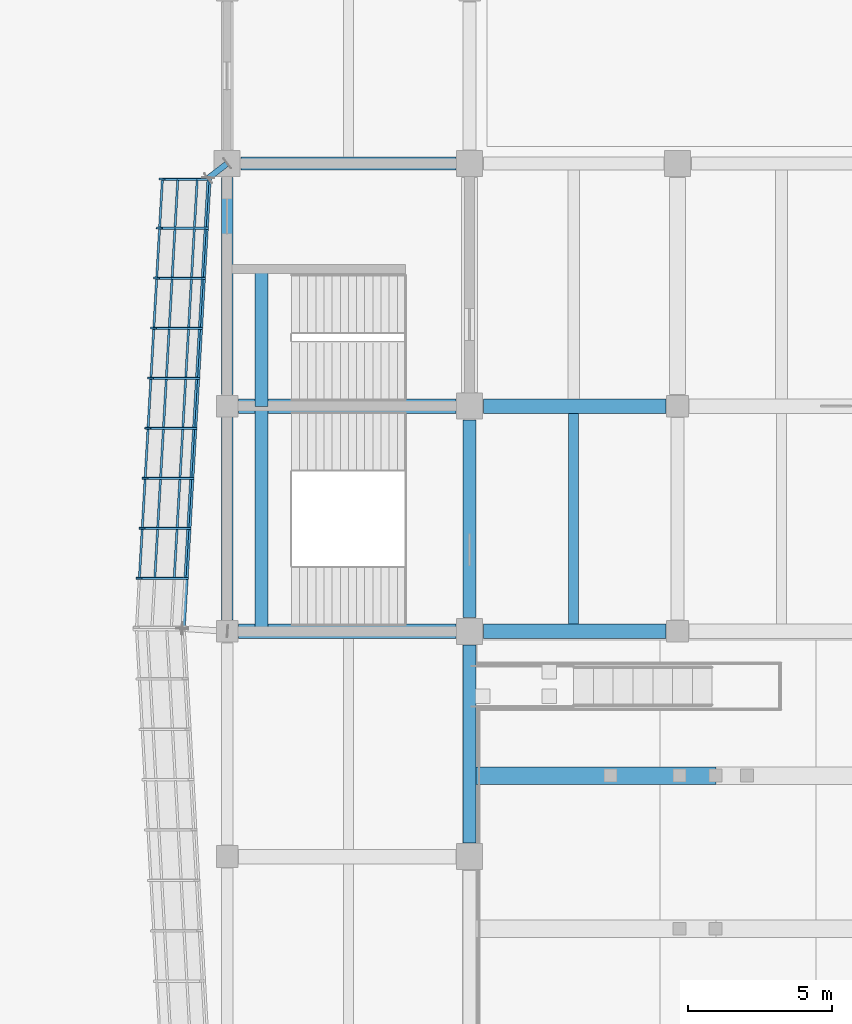
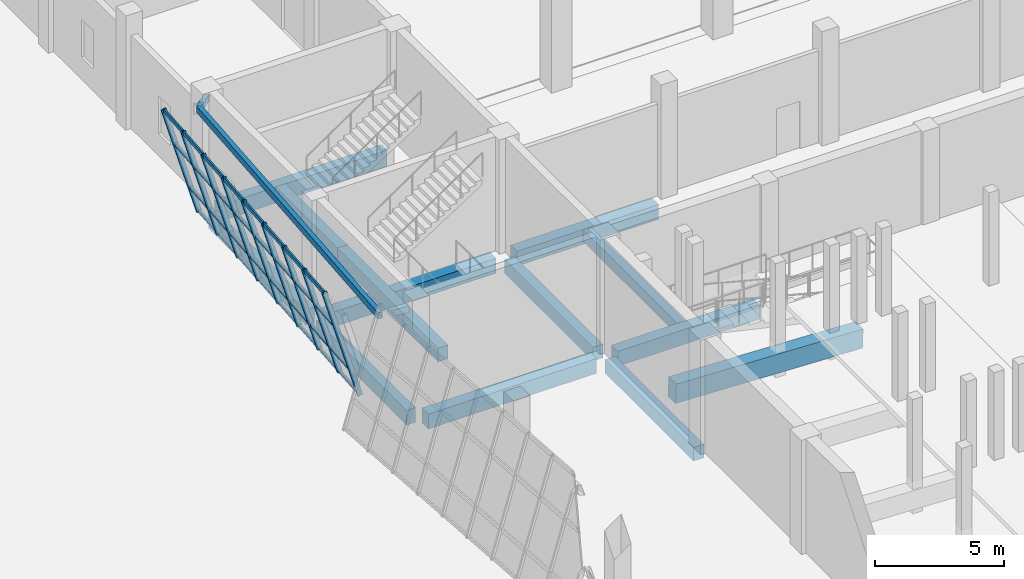
# One storey, part 29 of 78: 41 members, 15 beams, 1 element without a shape of its own.
"""IFC4 building model written with IfcOpenShell, lengths in metres."""

from ifc_helpers import new_model, si_unit, direction, frame, origin, origin_2d, place, context, subcontext, project, spatial, rectangle, hollow_rectangle, extrude, material, material_profile, profile_set, type_object, element, aggregate, save


model = new_model("IFC4")

# Units and contexts
model_context = context("Model", 3, precision=1e-05, world=origin(), true_north=direction((0.0, 1.0)))
body_context = subcontext(model_context, "Body", "Model", "MODEL_VIEW")
ifc_project = project(units=[si_unit("LENGTHUNIT", "METRE"), si_unit("AREAUNIT", "SQUARE_METRE"), si_unit("VOLUMEUNIT", "CUBIC_METRE"), si_unit("PLANEANGLEUNIT", "RADIAN"), si_unit("MASSUNIT", "GRAM", prefix="KILO")], contexts=[model_context])

# Site, building, storey
site_placement = place(None, origin())
site = spatial("IfcSite", under=ifc_project, at=site_placement, CompositionType="ELEMENT")
building_placement = place(site_placement, origin())
building = spatial("IfcBuilding", under=site, at=building_placement, Name="Pellamere Symphony Hall", CompositionType="ELEMENT")
storey_placement = place(building_placement, origin())
storey = spatial("IfcBuildingStorey", under=building, at=storey_placement, Name="L00", CompositionType="ELEMENT", Elevation=0.0)

# Curtain wall, members
ifc_material_1 = material(Name="Thermally Broken Anodised Aluminium 6063-T6 Curtain Wall", Category="aluminium")
curtain_wall_type = type_object("IfcCurtainWallType", Name="Curtain Wall CW-01 (Tilted Faceted Crystal Low-Iron Curtain Wall)", PredefinedType="NOTDEFINED", material=ifc_material_1)
curtain_wall_placement = place(storey_placement, origin())
curtain_wall = element("IfcCurtainWall", 1, at=curtain_wall_placement, inside=storey, type_object=curtain_wall_type, Name="Crystal Faceted Curtain Wall CW-CR15 (L00)", PredefinedType="NOTDEFINED")
ifc_material_2 = material(Name="Anodised Architectural Aluminium 6063-T6", Category="aluminium")
ifc_material_profile_1 = material_profile(ifc_material_2, hollow_rectangle(XDim=0.074951171875, YDim=0.219970703125, WallThickness=0.0048828125, at=origin_2d()), Name="ALU-M75X220X5")
ifc_profile_set_1 = profile_set([ifc_material_profile_1], Name="Anodised Architectural Aluminium 6063-T6")
member_type_1 = type_object("IfcMemberType", Name="Curtain Wall Mullion ML-01 ALU-M75X220X5", PredefinedType="MULLION", material=ifc_profile_set_1)
member_1_placement = place(storey_placement, frame((49.747802734375, 93.0625, 0.0), z_axis=(-0.284029290042, 0.0, 0.958815603961), x_axis=(-0.055224456577, -0.998339941676, -0.01635910297)))
member_1 = element("IfcMember", 2, at=member_1_placement, type_object=member_type_1, Name="CW1-037 crystal mullion 1", PredefinedType="MULLION", context=body_context, shape_type="SweptSolid", body=[
    extrude(hollow_rectangle(XDim=0.074951171875, YDim=0.219970703125, WallThickness=0.0048828125, at=origin_2d()), origin(), (0.0, 0.0, 1.0), 5.6318359375),
])
member_2_placement = place(storey_placement, frame((49.64990234375, 91.36669921875, 0.0), z_axis=(-0.284029290042, 0.0, 0.958815603961), x_axis=(-0.055224456577, -0.998339941676, -0.01635910297)))
member_2 = element("IfcMember", 3, at=member_2_placement, type_object=member_type_1, Name="CW1-037 crystal mullion 2", PredefinedType="MULLION", context=body_context, shape_type="SweptSolid", body=[
    extrude(hollow_rectangle(XDim=0.074951171875, YDim=0.219970703125, WallThickness=0.0048828125, at=origin_2d()), origin(), (0.0, 0.0, 1.0), 5.6318359375),
])
member_3_placement = place(storey_placement, frame((49.550048828125, 89.63330078125, 0.0), z_axis=(-0.284029290042, 0.0, 0.958815603961), x_axis=(-0.055224456577, -0.998339941676, -0.01635910297)))
member_3 = element("IfcMember", 4, at=member_3_placement, type_object=member_type_1, Name="CW1-037 crystal mullion 3", PredefinedType="MULLION", context=body_context, shape_type="SweptSolid", body=[
    extrude(hollow_rectangle(XDim=0.074951171875, YDim=0.219970703125, WallThickness=0.0048828125, at=origin_2d()), origin(), (0.0, 0.0, 1.0), 5.6318359375),
])
member_4_placement = place(storey_placement, frame((49.449951171875, 87.89990234375, 0.0), z_axis=(-0.284029290042, 0.0, 0.958815603961), x_axis=(-0.055224456577, -0.998339941676, -0.01635910297)))
member_4 = element("IfcMember", 5, at=member_4_placement, type_object=member_type_1, Name="CW1-037 crystal mullion 4", PredefinedType="MULLION", context=body_context, shape_type="SweptSolid", body=[
    extrude(hollow_rectangle(XDim=0.074951171875, YDim=0.219970703125, WallThickness=0.0048828125, at=origin_2d()), origin(), (0.0, 0.0, 1.0), 5.6318359375),
])
member_5_placement = place(storey_placement, frame((49.35009765625, 86.166748046875, 0.0), z_axis=(-0.284029290042, 0.0, 0.958815603961), x_axis=(-0.055224456577, -0.998339941676, -0.01635910297)))
member_5 = element("IfcMember", 6, at=member_5_placement, type_object=member_type_1, Name="CW1-037 crystal mullion 5", PredefinedType="MULLION", context=body_context, shape_type="SweptSolid", body=[
    extrude(hollow_rectangle(XDim=0.074951171875, YDim=0.219970703125, WallThickness=0.0048828125, at=origin_2d()), origin(), (0.0, 0.0, 1.0), 5.6318359375),
])
member_6_placement = place(storey_placement, frame((49.25, 84.433349609375, 0.0), z_axis=(-0.284029290042, 0.0, 0.958815603961), x_axis=(-0.055224456577, -0.998339941676, -0.01635910297)))
member_6 = element("IfcMember", 7, at=member_6_placement, type_object=member_type_1, Name="CW1-037 crystal mullion 6", PredefinedType="MULLION", context=body_context, shape_type="SweptSolid", body=[
    extrude(hollow_rectangle(XDim=0.074951171875, YDim=0.219970703125, WallThickness=0.0048828125, at=origin_2d()), origin(), (0.0, 0.0, 1.0), 5.6318359375),
])
member_7_placement = place(storey_placement, frame((49.14990234375, 82.699951171875, 0.0), z_axis=(-0.284029290042, 0.0, 0.958815603961), x_axis=(-0.055224456577, -0.998339941676, -0.01635910297)))
member_7 = element("IfcMember", 8, at=member_7_placement, type_object=member_type_1, Name="CW1-037 crystal mullion 7", PredefinedType="MULLION", context=body_context, shape_type="SweptSolid", body=[
    extrude(hollow_rectangle(XDim=0.074951171875, YDim=0.219970703125, WallThickness=0.0048828125, at=origin_2d()), origin(), (0.0, 0.0, 1.0), 5.6318359375),
])
member_8_placement = place(storey_placement, frame((49.050048828125, 80.966552734375, 0.0), z_axis=(-0.284029290042, 0.0, 0.958815603961), x_axis=(-0.055224456577, -0.998339941676, -0.01635910297)))
member_8 = element("IfcMember", 9, at=member_8_placement, type_object=member_type_1, Name="CW1-037 crystal mullion 8", PredefinedType="MULLION", context=body_context, shape_type="SweptSolid", body=[
    extrude(hollow_rectangle(XDim=0.074951171875, YDim=0.219970703125, WallThickness=0.0048828125, at=origin_2d()), origin(), (0.0, 0.0, 1.0), 5.6318359375),
])
member_9_placement = place(storey_placement, frame((48.949951171875, 79.2333984375, 0.0), z_axis=(-0.284029290042, 0.0, 0.958815603961), x_axis=(-0.055224456577, -0.998339941676, -0.01635910297)))
member_9 = element("IfcMember", 10, at=member_9_placement, type_object=member_type_1, Name="CW1-037 crystal mullion 9", PredefinedType="MULLION", context=body_context, shape_type="SweptSolid", body=[
    extrude(hollow_rectangle(XDim=0.074951171875, YDim=0.219970703125, WallThickness=0.0048828125, at=origin_2d()), origin(), (0.0, 0.0, 1.0), 5.6318359375),
])
ifc_material_profile_2 = material_profile(ifc_material_2, hollow_rectangle(XDim=0.074951171875, YDim=0.179931640625, WallThickness=0.0048828125, at=origin_2d()), Name="ALU-T75X180X5")
ifc_profile_set_2 = profile_set([ifc_material_profile_2], Name="Anodised Architectural Aluminium 6063-T6")
member_type_2 = type_object("IfcMemberType", Name="Curtain Wall Transom TR-01 ALU-T75X180X5", PredefinedType="USERDEFINED", material=ifc_profile_set_2)
member_10_placement = place(storey_placement, frame((49.735107421875, 93.025146484375, 0.035888671875), z_axis=(-0.057585007883, -0.99834060664, 0.0), x_axis=(0.99834060664, -0.057585007883, 0.0)))
member_10 = element("IfcMember", 11, at=member_10_placement, type_object=member_type_2, Name="CW1-037 crystal transom 1.1", ObjectType="TRANSOM", PredefinedType="USERDEFINED", context=body_context, shape_type="SweptSolid", body=[
    extrude(hollow_rectangle(XDim=0.074951171875, YDim=0.179931640625, WallThickness=0.0048828125, at=origin_2d()), origin(), (0.0, 0.0, 1.0), 1.623779296875),
])
member_11_placement = place(storey_placement, frame((49.36181640625, 93.025146484375, 1.2958984375), z_axis=(-0.057585007883, -0.99834060664, 0.0), x_axis=(0.99834060664, -0.057585007883, 0.0)))
member_11 = element("IfcMember", 12, at=member_11_placement, type_object=member_type_2, Name="CW1-037 crystal transom 1.2", ObjectType="TRANSOM", PredefinedType="USERDEFINED", context=body_context, shape_type="SweptSolid", body=[
    extrude(hollow_rectangle(XDim=0.074951171875, YDim=0.179931640625, WallThickness=0.0048828125, at=origin_2d()), origin(), (0.0, 0.0, 1.0), 1.623779296875),
])
member_12_placement = place(storey_placement, frame((48.68994140625, 93.025146484375, 3.56396484375), z_axis=(-0.057585007883, -0.99834060664, 0.0), x_axis=(0.99834060664, -0.057585007883, 0.0)))
member_12 = element("IfcMember", 13, at=member_12_placement, type_object=member_type_2, Name="CW1-037 crystal transom 1.3", ObjectType="TRANSOM", PredefinedType="USERDEFINED", context=body_context, shape_type="SweptSolid", body=[
    extrude(hollow_rectangle(XDim=0.074951171875, YDim=0.179931640625, WallThickness=0.0048828125, at=origin_2d()), origin(), (0.0, 0.0, 1.0), 1.623779296875),
])
member_13_placement = place(storey_placement, frame((48.15673828125, 93.025146484375, 5.364013671875), z_axis=(-0.057585007883, -0.99834060664, 0.0), x_axis=(0.99834060664, -0.057585007883, 0.0)))
member_13 = element("IfcMember", 14, at=member_13_placement, type_object=member_type_2, Name="CW1-037 crystal transom 1.4", ObjectType="TRANSOM", PredefinedType="USERDEFINED", context=body_context, shape_type="SweptSolid", body=[
    extrude(hollow_rectangle(XDim=0.074951171875, YDim=0.179931640625, WallThickness=0.0048828125, at=origin_2d()), origin(), (0.0, 0.0, 1.0), 1.623779296875),
])
member_14_placement = place(storey_placement, frame((49.63720703125, 91.329345703125, 0.035888671875), z_axis=(-0.057602168051, -0.998339616682, 0.0), x_axis=(0.998339616682, -0.057602168051, 0.0)))
member_14 = element("IfcMember", 15, at=member_14_placement, type_object=member_type_2, Name="CW1-037 crystal transom 2.1", ObjectType="TRANSOM", PredefinedType="USERDEFINED", context=body_context, shape_type="SweptSolid", body=[
    extrude(hollow_rectangle(XDim=0.074951171875, YDim=0.179931640625, WallThickness=0.0048828125, at=origin_2d()), origin(), (0.0, 0.0, 1.0), 1.661376953125),
])
member_15_placement = place(storey_placement, frame((49.263916015625, 91.329345703125, 1.2958984375), z_axis=(-0.057602168051, -0.998339616682, 0.0), x_axis=(0.998339616682, -0.057602168051, 0.0)))
member_15 = element("IfcMember", 16, at=member_15_placement, type_object=member_type_2, Name="CW1-037 crystal transom 2.2", ObjectType="TRANSOM", PredefinedType="USERDEFINED", context=body_context, shape_type="SweptSolid", body=[
    extrude(hollow_rectangle(XDim=0.074951171875, YDim=0.179931640625, WallThickness=0.0048828125, at=origin_2d()), origin(), (0.0, 0.0, 1.0), 1.661376953125),
])
member_16_placement = place(storey_placement, frame((48.592041015625, 91.329345703125, 3.56396484375), z_axis=(-0.057602168051, -0.998339616682, 0.0), x_axis=(0.998339616682, -0.057602168051, 0.0)))
member_16 = element("IfcMember", 17, at=member_16_placement, type_object=member_type_2, Name="CW1-037 crystal transom 2.3", ObjectType="TRANSOM", PredefinedType="USERDEFINED", context=body_context, shape_type="SweptSolid", body=[
    extrude(hollow_rectangle(XDim=0.074951171875, YDim=0.179931640625, WallThickness=0.0048828125, at=origin_2d()), origin(), (0.0, 0.0, 1.0), 1.661376953125),
])
member_17_placement = place(storey_placement, frame((48.058837890625, 91.329345703125, 5.364013671875), z_axis=(-0.057602168051, -0.998339616682, 0.0), x_axis=(0.998339616682, -0.057602168051, 0.0)))
member_17 = element("IfcMember", 18, at=member_17_placement, type_object=member_type_2, Name="CW1-037 crystal transom 2.4", ObjectType="TRANSOM", PredefinedType="USERDEFINED", context=body_context, shape_type="SweptSolid", body=[
    extrude(hollow_rectangle(XDim=0.074951171875, YDim=0.179931640625, WallThickness=0.0048828125, at=origin_2d()), origin(), (0.0, 0.0, 1.0), 1.661376953125),
])
member_18_placement = place(storey_placement, frame((49.537109375, 89.595947265625, 0.035888671875), z_axis=(-0.057610619545, -0.998339129012, 0.0), x_axis=(0.998339129012, -0.057610619545, 0.0)))
member_18 = element("IfcMember", 19, at=member_18_placement, type_object=member_type_2, Name="CW1-037 crystal transom 3.1", ObjectType="TRANSOM", PredefinedType="USERDEFINED", context=body_context, shape_type="SweptSolid", body=[
    extrude(hollow_rectangle(XDim=0.074951171875, YDim=0.179931640625, WallThickness=0.0048828125, at=origin_2d()), origin(), (0.0, 0.0, 1.0), 1.6611328125),
])
member_19_placement = place(storey_placement, frame((49.163818359375, 89.595947265625, 1.2958984375), z_axis=(-0.057464139598, -0.998347571069, 0.0), x_axis=(0.998347571069, -0.057464139598, 0.0)))
member_19 = element("IfcMember", 20, at=member_19_placement, type_object=member_type_2, Name="CW1-037 crystal transom 3.2", ObjectType="TRANSOM", PredefinedType="USERDEFINED", context=body_context, shape_type="SweptSolid", body=[
    extrude(hollow_rectangle(XDim=0.074951171875, YDim=0.179931640625, WallThickness=0.0048828125, at=origin_2d()), origin(), (0.0, 0.0, 1.0), 1.6611328125),
])
member_20_placement = place(storey_placement, frame((48.4921875, 89.595947265625, 3.56396484375), z_axis=(-0.057610619545, -0.998339129012, 0.0), x_axis=(0.998339129012, -0.057610619545, 0.0)))
member_20 = element("IfcMember", 21, at=member_20_placement, type_object=member_type_2, Name="CW1-037 crystal transom 3.3", ObjectType="TRANSOM", PredefinedType="USERDEFINED", context=body_context, shape_type="SweptSolid", body=[
    extrude(hollow_rectangle(XDim=0.074951171875, YDim=0.179931640625, WallThickness=0.0048828125, at=origin_2d()), origin(), (0.0, 0.0, 1.0), 1.6611328125),
])
member_21_placement = place(storey_placement, frame((47.958984375, 89.595947265625, 5.364013671875), z_axis=(-0.057610619545, -0.998339129012, 0.0), x_axis=(0.998339129012, -0.057610619545, 0.0)))
member_21 = element("IfcMember", 22, at=member_21_placement, type_object=member_type_2, Name="CW1-037 crystal transom 3.4", ObjectType="TRANSOM", PredefinedType="USERDEFINED", context=body_context, shape_type="SweptSolid", body=[
    extrude(hollow_rectangle(XDim=0.074951171875, YDim=0.179931640625, WallThickness=0.0048828125, at=origin_2d()), origin(), (0.0, 0.0, 1.0), 1.6611328125),
])
member_22_placement = place(storey_placement, frame((49.437255859375, 87.862548828125, 0.035888671875), z_axis=(-0.057610619545, -0.998339129012, 0.0), x_axis=(0.998339129012, -0.057610619545, 0.0)))
member_22 = element("IfcMember", 23, at=member_22_placement, type_object=member_type_2, Name="CW1-037 crystal transom 4.1", ObjectType="TRANSOM", PredefinedType="USERDEFINED", context=body_context, shape_type="SweptSolid", body=[
    extrude(hollow_rectangle(XDim=0.074951171875, YDim=0.179931640625, WallThickness=0.0048828125, at=origin_2d()), origin(), (0.0, 0.0, 1.0), 1.6611328125),
])
member_23_placement = place(storey_placement, frame((49.06396484375, 87.862548828125, 1.2958984375), z_axis=(-0.057610619545, -0.998339129012, 0.0), x_axis=(0.998339129012, -0.057610619545, 0.0)))
member_23 = element("IfcMember", 24, at=member_23_placement, type_object=member_type_2, Name="CW1-037 crystal transom 4.2", ObjectType="TRANSOM", PredefinedType="USERDEFINED", context=body_context, shape_type="SweptSolid", body=[
    extrude(hollow_rectangle(XDim=0.074951171875, YDim=0.179931640625, WallThickness=0.0048828125, at=origin_2d()), origin(), (0.0, 0.0, 1.0), 1.6611328125),
])
member_24_placement = place(storey_placement, frame((48.39208984375, 87.862548828125, 3.56396484375), z_axis=(-0.057610619545, -0.998339129012, 0.0), x_axis=(0.998339129012, -0.057610619545, 0.0)))
member_24 = element("IfcMember", 25, at=member_24_placement, type_object=member_type_2, Name="CW1-037 crystal transom 4.3", ObjectType="TRANSOM", PredefinedType="USERDEFINED", context=body_context, shape_type="SweptSolid", body=[
    extrude(hollow_rectangle(XDim=0.074951171875, YDim=0.179931640625, WallThickness=0.0048828125, at=origin_2d()), origin(), (0.0, 0.0, 1.0), 1.6611328125),
])
member_25_placement = place(storey_placement, frame((47.85888671875, 87.862548828125, 5.364013671875), z_axis=(-0.057610619545, -0.998339129012, 0.0), x_axis=(0.998339129012, -0.057610619545, 0.0)))
member_25 = element("IfcMember", 26, at=member_25_placement, type_object=member_type_2, Name="CW1-037 crystal transom 4.4", ObjectType="TRANSOM", PredefinedType="USERDEFINED", context=body_context, shape_type="SweptSolid", body=[
    extrude(hollow_rectangle(XDim=0.074951171875, YDim=0.179931640625, WallThickness=0.0048828125, at=origin_2d()), origin(), (0.0, 0.0, 1.0), 1.6611328125),
])
member_26_placement = place(storey_placement, frame((49.337158203125, 86.129150390625, 0.035888671875), z_axis=(-0.057610619545, -0.998339129012, 0.0), x_axis=(0.998339129012, -0.057610619545, 0.0)))
member_26 = element("IfcMember", 27, at=member_26_placement, type_object=member_type_2, Name="CW1-037 crystal transom 5.1", ObjectType="TRANSOM", PredefinedType="USERDEFINED", context=body_context, shape_type="SweptSolid", body=[
    extrude(hollow_rectangle(XDim=0.074951171875, YDim=0.179931640625, WallThickness=0.0048828125, at=origin_2d()), origin(), (0.0, 0.0, 1.0), 1.6611328125),
])
member_27_placement = place(storey_placement, frame((48.9638671875, 86.129150390625, 1.2958984375), z_axis=(-0.057610619545, -0.998339129012, 0.0), x_axis=(0.998339129012, -0.057610619545, 0.0)))
member_27 = element("IfcMember", 28, at=member_27_placement, type_object=member_type_2, Name="CW1-037 crystal transom 5.2", ObjectType="TRANSOM", PredefinedType="USERDEFINED", context=body_context, shape_type="SweptSolid", body=[
    extrude(hollow_rectangle(XDim=0.074951171875, YDim=0.179931640625, WallThickness=0.0048828125, at=origin_2d()), origin(), (0.0, 0.0, 1.0), 1.6611328125),
])
member_28_placement = place(storey_placement, frame((48.2919921875, 86.129150390625, 3.56396484375), z_axis=(-0.057464139598, -0.998347571069, 0.0), x_axis=(0.998347571069, -0.057464139598, 0.0)))
member_28 = element("IfcMember", 29, at=member_28_placement, type_object=member_type_2, Name="CW1-037 crystal transom 5.3", ObjectType="TRANSOM", PredefinedType="USERDEFINED", context=body_context, shape_type="SweptSolid", body=[
    extrude(hollow_rectangle(XDim=0.074951171875, YDim=0.179931640625, WallThickness=0.0048828125, at=origin_2d()), origin(), (0.0, 0.0, 1.0), 1.6611328125),
])
member_29_placement = place(storey_placement, frame((47.7587890625, 86.129150390625, 5.364013671875), z_axis=(-0.057464139598, -0.998347571069, 0.0), x_axis=(0.998347571069, -0.057464139598, 0.0)))
member_29 = element("IfcMember", 30, at=member_29_placement, type_object=member_type_2, Name="CW1-037 crystal transom 5.4", ObjectType="TRANSOM", PredefinedType="USERDEFINED", context=body_context, shape_type="SweptSolid", body=[
    extrude(hollow_rectangle(XDim=0.074951171875, YDim=0.179931640625, WallThickness=0.0048828125, at=origin_2d()), origin(), (0.0, 0.0, 1.0), 1.6611328125),
])
member_30_placement = place(storey_placement, frame((49.2373046875, 84.39599609375, 0.035888671875), z_axis=(-0.057610619545, -0.998339129012, 0.0), x_axis=(0.998339129012, -0.057610619545, 0.0)))
member_30 = element("IfcMember", 31, at=member_30_placement, type_object=member_type_2, Name="CW1-037 crystal transom 6.1", ObjectType="TRANSOM", PredefinedType="USERDEFINED", context=body_context, shape_type="SweptSolid", body=[
    extrude(hollow_rectangle(XDim=0.074951171875, YDim=0.179931640625, WallThickness=0.0048828125, at=origin_2d()), origin(), (0.0, 0.0, 1.0), 1.6611328125),
])
member_31_placement = place(storey_placement, frame((48.864013671875, 84.39599609375, 1.2958984375), z_axis=(-0.057610619545, -0.998339129012, 0.0), x_axis=(0.998339129012, -0.057610619545, 0.0)))
member_31 = element("IfcMember", 32, at=member_31_placement, type_object=member_type_2, Name="CW1-037 crystal transom 6.2", ObjectType="TRANSOM", PredefinedType="USERDEFINED", context=body_context, shape_type="SweptSolid", body=[
    extrude(hollow_rectangle(XDim=0.074951171875, YDim=0.179931640625, WallThickness=0.0048828125, at=origin_2d()), origin(), (0.0, 0.0, 1.0), 1.6611328125),
])
member_32_placement = place(storey_placement, frame((48.192138671875, 84.39599609375, 3.56396484375), z_axis=(-0.057610619545, -0.998339129012, 0.0), x_axis=(0.998339129012, -0.057610619545, 0.0)))
member_32 = element("IfcMember", 33, at=member_32_placement, type_object=member_type_2, Name="CW1-037 crystal transom 6.3", ObjectType="TRANSOM", PredefinedType="USERDEFINED", context=body_context, shape_type="SweptSolid", body=[
    extrude(hollow_rectangle(XDim=0.074951171875, YDim=0.179931640625, WallThickness=0.0048828125, at=origin_2d()), origin(), (0.0, 0.0, 1.0), 1.6611328125),
])
member_33_placement = place(storey_placement, frame((47.658935546875, 84.39599609375, 5.364013671875), z_axis=(-0.057610619545, -0.998339129012, 0.0), x_axis=(0.998339129012, -0.057610619545, 0.0)))
member_33 = element("IfcMember", 34, at=member_33_placement, type_object=member_type_2, Name="CW1-037 crystal transom 6.4", ObjectType="TRANSOM", PredefinedType="USERDEFINED", context=body_context, shape_type="SweptSolid", body=[
    extrude(hollow_rectangle(XDim=0.074951171875, YDim=0.179931640625, WallThickness=0.0048828125, at=origin_2d()), origin(), (0.0, 0.0, 1.0), 1.6611328125),
])
member_34_placement = place(storey_placement, frame((49.13720703125, 82.66259765625, 0.035888671875), z_axis=(-0.057610619545, -0.998339129012, 0.0), x_axis=(0.998339129012, -0.057610619545, 0.0)))
member_34 = element("IfcMember", 35, at=member_34_placement, type_object=member_type_2, Name="CW1-037 crystal transom 7.1", ObjectType="TRANSOM", PredefinedType="USERDEFINED", context=body_context, shape_type="SweptSolid", body=[
    extrude(hollow_rectangle(XDim=0.074951171875, YDim=0.179931640625, WallThickness=0.0048828125, at=origin_2d()), origin(), (0.0, 0.0, 1.0), 1.6611328125),
])
member_35_placement = place(storey_placement, frame((48.763916015625, 82.66259765625, 1.2958984375), z_axis=(-0.057610619545, -0.998339129012, 0.0), x_axis=(0.998339129012, -0.057610619545, 0.0)))
member_35 = element("IfcMember", 36, at=member_35_placement, type_object=member_type_2, Name="CW1-037 crystal transom 7.2", ObjectType="TRANSOM", PredefinedType="USERDEFINED", context=body_context, shape_type="SweptSolid", body=[
    extrude(hollow_rectangle(XDim=0.074951171875, YDim=0.179931640625, WallThickness=0.0048828125, at=origin_2d()), origin(), (0.0, 0.0, 1.0), 1.6611328125),
])
member_36_placement = place(storey_placement, frame((48.092041015625, 82.66259765625, 3.56396484375), z_axis=(-0.057610619545, -0.998339129012, 0.0), x_axis=(0.998339129012, -0.057610619545, 0.0)))
member_36 = element("IfcMember", 37, at=member_36_placement, type_object=member_type_2, Name="CW1-037 crystal transom 7.3", ObjectType="TRANSOM", PredefinedType="USERDEFINED", context=body_context, shape_type="SweptSolid", body=[
    extrude(hollow_rectangle(XDim=0.074951171875, YDim=0.179931640625, WallThickness=0.0048828125, at=origin_2d()), origin(), (0.0, 0.0, 1.0), 1.6611328125),
])
member_37_placement = place(storey_placement, frame((47.558837890625, 82.66259765625, 5.364013671875), z_axis=(-0.057610619545, -0.998339129012, 0.0), x_axis=(0.998339129012, -0.057610619545, 0.0)))
member_37 = element("IfcMember", 38, at=member_37_placement, type_object=member_type_2, Name="CW1-037 crystal transom 7.4", ObjectType="TRANSOM", PredefinedType="USERDEFINED", context=body_context, shape_type="SweptSolid", body=[
    extrude(hollow_rectangle(XDim=0.074951171875, YDim=0.179931640625, WallThickness=0.0048828125, at=origin_2d()), origin(), (0.0, 0.0, 1.0), 1.6611328125),
])
member_38_placement = place(storey_placement, frame((49.037109375, 80.92919921875, 0.035888671875), z_axis=(-0.057610619545, -0.998339129012, 0.0), x_axis=(0.998339129012, -0.057610619545, 0.0)))
member_38 = element("IfcMember", 39, at=member_38_placement, type_object=member_type_2, Name="CW1-037 crystal transom 8.1", ObjectType="TRANSOM", PredefinedType="USERDEFINED", context=body_context, shape_type="SweptSolid", body=[
    extrude(hollow_rectangle(XDim=0.074951171875, YDim=0.179931640625, WallThickness=0.0048828125, at=origin_2d()), origin(), (0.0, 0.0, 1.0), 1.6611328125),
])
member_39_placement = place(storey_placement, frame((48.663818359375, 80.92919921875, 1.2958984375), z_axis=(-0.057464139598, -0.998347571069, 0.0), x_axis=(0.998347571069, -0.057464139598, 0.0)))
member_39 = element("IfcMember", 40, at=member_39_placement, type_object=member_type_2, Name="CW1-037 crystal transom 8.2", ObjectType="TRANSOM", PredefinedType="USERDEFINED", context=body_context, shape_type="SweptSolid", body=[
    extrude(hollow_rectangle(XDim=0.074951171875, YDim=0.179931640625, WallThickness=0.0048828125, at=origin_2d()), origin(), (0.0, 0.0, 1.0), 1.6611328125),
])
member_40_placement = place(storey_placement, frame((47.9921875, 80.92919921875, 3.56396484375), z_axis=(-0.057610619545, -0.998339129012, 0.0), x_axis=(0.998339129012, -0.057610619545, 0.0)))
member_40 = element("IfcMember", 41, at=member_40_placement, type_object=member_type_2, Name="CW1-037 crystal transom 8.3", ObjectType="TRANSOM", PredefinedType="USERDEFINED", context=body_context, shape_type="SweptSolid", body=[
    extrude(hollow_rectangle(XDim=0.074951171875, YDim=0.179931640625, WallThickness=0.0048828125, at=origin_2d()), origin(), (0.0, 0.0, 1.0), 1.6611328125),
])
member_41_placement = place(storey_placement, frame((47.458984375, 80.92919921875, 5.364013671875), z_axis=(-0.057610619545, -0.998339129012, 0.0), x_axis=(0.998339129012, -0.057610619545, 0.0)))
member_41 = element("IfcMember", 42, at=member_41_placement, type_object=member_type_2, Name="CW1-037 crystal transom 8.4", ObjectType="TRANSOM", PredefinedType="USERDEFINED", context=body_context, shape_type="SweptSolid", body=[
    extrude(hollow_rectangle(XDim=0.074951171875, YDim=0.179931640625, WallThickness=0.0048828125, at=origin_2d()), origin(), (0.0, 0.0, 1.0), 1.6611328125),
])
aggregate(curtain_wall, [member_1, member_2, member_3, member_4, member_5, member_6, member_7, member_8, member_9, member_10, member_11, member_12, member_13, member_14, member_15, member_16, member_17, member_18, member_19, member_20, member_21, member_22, member_23, member_24, member_25, member_26, member_27, member_28, member_29, member_30, member_31, member_32, member_33, member_34, member_35, member_36, member_37, member_38, member_39, member_40, member_41])

# Beams
ifc_material_3 = material(Name="Concrete 40 MPa", Category="concrete")
ifc_material_profile_3 = material_profile(ifc_material_3, rectangle(XDim=0.5, YDim=0.699951171875, at=origin_2d()), Name="RC 500x700")
ifc_profile_set_3 = profile_set([ifc_material_profile_3], Name="Concrete 40 MPa")
beam_type_1 = type_object("IfcBeamType", Name="RC CB-07 500x700", PredefinedType="BEAM", material=ifc_profile_set_3)
beam_1_placement = place(storey_placement, frame((50.800048828125, 77.39990234375, -0.64990234375), z_axis=(1.0, 0.0, 0.0), x_axis=(0.0, 1.0, 0.0)))
element("IfcBeam", 43, at=beam_1_placement, inside=storey, type_object=beam_type_1, Name="Girder CB-07-X0136 (L00)", PredefinedType="BEAM", context=body_context, shape_type="SweptSolid", body=[
    extrude(rectangle(XDim=0.5, YDim=0.699951171875, at=origin_2d()), origin(), (0.0, 0.0, 1.0), 7.52490234375),
])
beam_2_placement = place(storey_placement, frame((59.27490234375, 77.39990234375, -0.64990234375), z_axis=(1.0, 0.0, 0.0), x_axis=(0.0, 1.0, 0.0)))
element("IfcBeam", 44, at=beam_2_placement, inside=storey, type_object=beam_type_1, Name="Girder CB-07-X0137 (L00)", PredefinedType="BEAM", context=body_context, shape_type="SweptSolid", body=[
    extrude(rectangle(XDim=0.5, YDim=0.699951171875, at=origin_2d()), origin(), (0.0, 0.0, 1.0), 6.3251953125),
])
beam_3_placement = place(storey_placement, frame((50.800048828125, 85.199951171875, -0.64990234375), z_axis=(1.0, 0.0, 0.0), x_axis=(0.0, 1.0, 0.0)))
element("IfcBeam", 45, at=beam_3_placement, inside=storey, type_object=beam_type_1, Name="Girder CB-07-X0149 (L00)", PredefinedType="BEAM", context=body_context, shape_type="SweptSolid", body=[
    extrude(rectangle(XDim=0.5, YDim=0.699951171875, at=origin_2d()), origin(), (0.0, 0.0, 1.0), 7.52490234375),
])
beam_4_placement = place(storey_placement, frame((59.27490234375, 85.199951171875, -0.64990234375), z_axis=(1.0, 0.0, 0.0), x_axis=(0.0, 1.0, 0.0)))
element("IfcBeam", 46, at=beam_4_placement, inside=storey, type_object=beam_type_1, Name="Girder CB-07-X0150 (L00)", PredefinedType="BEAM", context=body_context, shape_type="SweptSolid", body=[
    extrude(rectangle(XDim=0.5, YDim=0.699951171875, at=origin_2d()), origin(), (0.0, 0.0, 1.0), 6.3251953125),
])
ifc_material_profile_4 = material_profile(ifc_material_3, rectangle(XDim=0.449951171875, YDim=0.64990234375, at=origin_2d()), Name="RC 450x650")
ifc_profile_set_4 = profile_set([ifc_material_profile_4], Name="Concrete 40 MPa")
beam_type_2 = type_object("IfcBeamType", Name="RC CB-08 450x650", PredefinedType="BEAM", material=ifc_profile_set_4)
for number, where, z_axis, x_axis, name in (
    (47, (58.800048828125, 70.074951171875, -0.625), (0.0, 1.0, 0.0), (-1.0, 0.0, 0.0), "Girder CB-08-Y0253 (L00)"),
    (48, (58.800048828125, 77.875, -0.625), (0.0, 1.0, 0.0), (-1.0, 0.0, 0.0), "Girder CB-08-Y0254 (L00)"),
):
    element("IfcBeam", number, at=place(storey_placement, frame(where, z_axis=z_axis, x_axis=x_axis)), inside=storey, type_object=beam_type_2, Name=name, PredefinedType="BEAM", context=body_context, shape_type="SweptSolid", body=[
        extrude(rectangle(XDim=0.449951171875, YDim=0.64990234375, at=origin_2d()), origin(), (0.0, 0.0, 1.0), 6.85009765625),
    ])
beam_5_placement = place(storey_placement, frame((51.592529296875, 77.3798828125, 2.155029296875), z_axis=(0.0, 1.0, 0.0), x_axis=(-1.0, 0.0, 0.0)))
element("IfcBeam", 49, at=beam_5_placement, inside=storey, type_object=beam_type_2, Name="Stair ST07-L00 Half Landing Support Beam (L00)", PredefinedType="BEAM", context=body_context, shape_type="SweptSolid", body=[
    extrude(rectangle(XDim=0.449951171875, YDim=0.64990234375, at=origin_2d()), origin(), (0.0, 0.0, 1.0), 7.840087890625),
])
beam_6_placement = place(storey_placement, frame((51.592529296875, 85.179931640625, 2.155029296875), z_axis=(0.0, 1.0, 0.0), x_axis=(-1.0, 0.0, 0.0)))
element("IfcBeam", 50, at=beam_6_placement, inside=storey, type_object=beam_type_2, Name="Stair ST13-L00 Half Landing Support Beam (L00)", PredefinedType="BEAM", context=body_context, shape_type="SweptSolid", body=[
    extrude(rectangle(XDim=0.449951171875, YDim=0.64990234375, at=origin_2d()), origin(), (0.0, 0.0, 1.0), 4.780029296875),
])
ifc_material_4 = material(Name="Concrete 35 MPa", Category="concrete")
ifc_material_profile_5 = material_profile(ifc_material_4, rectangle(XDim=0.35009765625, YDim=0.550048828125, at=origin_2d()), Name="RC 350x550")
ifc_profile_set_5 = profile_set([ifc_material_profile_5], Name="Concrete 35 MPa")
beam_type_3 = type_object("IfcBeamType", Name="RC CB-10 350x550", PredefinedType="BEAM", material=ifc_profile_set_5)
beam_7_placement = place(storey_placement, frame((62.39990234375, 77.64990234375, -0.590087890625), z_axis=(0.0, 1.0, 0.0), x_axis=(-1.0, 0.0, 0.0)))
element("IfcBeam", 51, at=beam_7_placement, inside=storey, type_object=beam_type_3, Name="Secondary Floor Beam CB-10-M0710 (L00)", PredefinedType="BEAM", context=body_context, shape_type="SweptSolid", body=[
    extrude(rectangle(XDim=0.35009765625, YDim=0.550048828125, at=origin_2d()), origin(), (0.0, 0.0, 1.0), 7.300048828125),
])
ifc_material_profile_6 = material_profile(ifc_material_3, rectangle(XDim=0.449951171875, YDim=0.75, at=origin_2d()), Name="RC 450x750")
ifc_profile_set_6 = profile_set([ifc_material_profile_6], Name="Concrete 40 MPa")
beam_type_4 = type_object("IfcBeamType", Name="RC CB-12 450x750", PredefinedType="SPANDREL", material=ifc_profile_set_6)
beam_8_placement = place(storey_placement, frame((50.875, 93.60009765625, -0.675048828125), z_axis=(1.0, 0.0, 0.0), x_axis=(0.0, 1.0, 0.0)))
element("IfcBeam", 52, at=beam_8_placement, inside=storey, type_object=beam_type_4, Name="Girder CB-12-X0161 (L00)", PredefinedType="SPANDREL", context=body_context, shape_type="SweptSolid", body=[
    extrude(rectangle(XDim=0.449951171875, YDim=0.75, at=origin_2d()), origin(), (0.0, 0.0, 1.0), 7.449951171875),
])
ifc_material_profile_7 = material_profile(ifc_material_3, rectangle(XDim=0.39990234375, YDim=0.699951171875, at=origin_2d()), Name="RC 400x700")
ifc_profile_set_7 = profile_set([ifc_material_profile_7], Name="Concrete 40 MPa")
beam_type_5 = type_object("IfcBeamType", Name="RC CB-13 400x700", PredefinedType="SPANDREL", material=ifc_profile_set_7)
beam_9_placement = place(storey_placement, frame((50.39990234375, 77.800048828125, -0.64990234375), z_axis=(0.0, 1.0, 0.0), x_axis=(-1.0, 0.0, 0.0)))
element("IfcBeam", 53, at=beam_9_placement, inside=storey, type_object=beam_type_5, Name="Girder CB-13-Y0241 (L00)", PredefinedType="SPANDREL", context=body_context, shape_type="SweptSolid", body=[
    extrude(rectangle(XDim=0.39990234375, YDim=0.699951171875, at=origin_2d()), origin(), (0.0, 0.0, 1.0), 7.0),
])
beam_10_placement = place(storey_placement, frame((50.39990234375, 85.60009765625, -0.64990234375), z_axis=(0.0, 1.0, 0.0), x_axis=(-1.0, 0.0, 0.0)))
element("IfcBeam", 54, at=beam_10_placement, inside=storey, type_object=beam_type_5, Name="Girder CB-13-Y0242 (L00)", PredefinedType="SPANDREL", context=body_context, shape_type="SweptSolid", body=[
    extrude(rectangle(XDim=0.39990234375, YDim=0.699951171875, at=origin_2d()), origin(), (0.0, 0.0, 1.0), 7.52490234375),
])
ifc_material_profile_8 = material_profile(ifc_material_3, rectangle(XDim=0.60009765625, YDim=0.89990234375, at=origin_2d()), Name="RC 600x900")
ifc_profile_set_8 = profile_set([ifc_material_profile_8], Name="Concrete 40 MPa")
beam_type_6 = type_object("IfcBeamType", Name="RC RK-01 600x900", PredefinedType="BEAM", material=ifc_profile_set_8)
beam_11_placement = place(storey_placement, frame((67.3125, 72.39990234375, 0.5576171875), z_axis=(-0.999302509727, 0.0, 0.037342925071), x_axis=(0.0, -1.0, 0.0)))
element("IfcBeam", 55, at=beam_11_placement, inside=storey, type_object=beam_type_6, Name="Stand Main Stalls Raker Beam RK-01-021", PredefinedType="BEAM", context=body_context, shape_type="SweptSolid", body=[
    extrude(rectangle(XDim=0.60009765625, YDim=0.89990234375, at=origin_2d()), origin(), (0.0, 0.0, 1.0), 8.368408203125),
])
ifc_material_5 = material(Name="Steel CSA G40.21 350W", Category="steel")
ifc_material_profile_9 = material_profile(ifc_material_5, hollow_rectangle(XDim=0.203125, YDim=0.3046875, WallThickness=0.0126953125, at=origin_2d()), Name="HSS305X203X13")
ifc_profile_set_9 = profile_set([ifc_material_profile_9], Name="Steel CSA G40.21 350W")
beam_type_7 = type_object("IfcBeamType", Name="Steel Spandrel SB-26 HSS305X203X13", PredefinedType="SPANDREL", material=ifc_profile_set_9)
beam_12_placement = place(storey_placement, frame((49.75, 93.10009765625, 4.840087890625), z_axis=(-0.057589946883, -0.998340321743, 0.0), x_axis=(0.998340321743, -0.057589946883, 0.0)))
element("IfcBeam", 56, at=beam_12_placement, inside=storey, type_object=beam_type_7, Name="Crystal Perimeter Ring Beam CW-CR15 (L00)", PredefinedType="SPANDREL", context=body_context, shape_type="SweptSolid", body=[
    extrude(hollow_rectangle(XDim=0.203125, YDim=0.3046875, WallThickness=0.0126953125, at=origin_2d()), origin(), (0.0, 0.0, 1.0), 15.6259765625),
])
beam_13_placement = place(storey_placement, frame((50.39990234375, 93.60009765625, 4.840087890625), z_axis=(-0.792579713642, -0.609768314627, 0.0), x_axis=(0.609768314627, -0.792579713642, 0.0)))
element("IfcBeam", 57, at=beam_13_placement, inside=storey, type_object=beam_type_7, Name="Crystal Ring Outrigger Bracket 082 (L00)", PredefinedType="SPANDREL", context=body_context, shape_type="SweptSolid", body=[
    extrude(hollow_rectangle(XDim=0.203125, YDim=0.3046875, WallThickness=0.0126953125, at=origin_2d()), origin(), (0.0, 0.0, 1.0), 0.820068359375),
])

save(model, "model.ifc")
